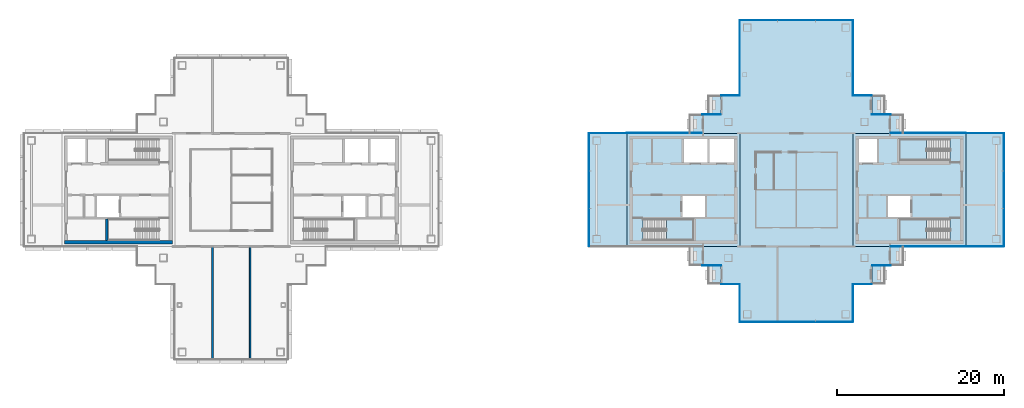
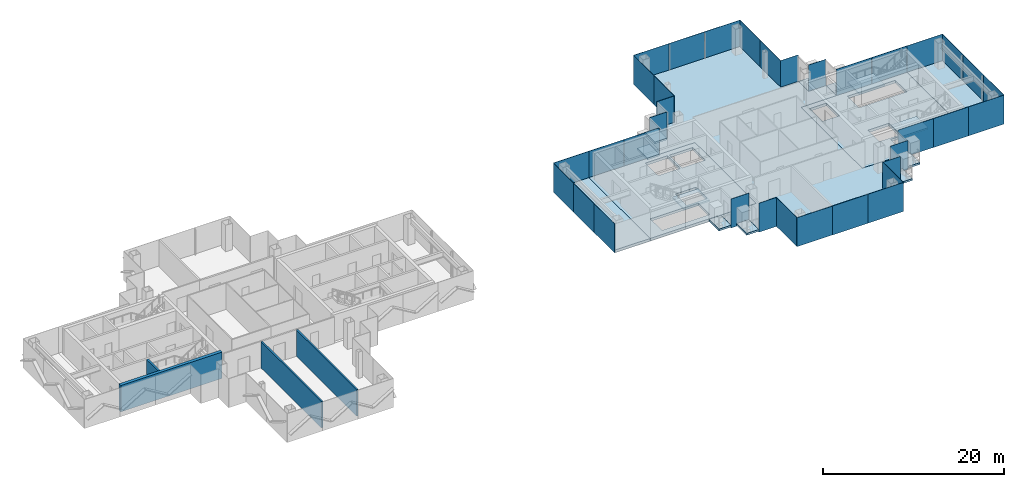
# One storey, part 8 of 17: 35 plates, 16 slabs, 4 walls, 21 elements without a shape of their own.
"""IFC4 building model written with IfcOpenShell, lengths in metres."""

from ifc_helpers import new_model, si_unit, direction, frame, frame_2d, origin, origin_2d, place, context, subcontext, project, spatial, polyline, rectangle, outline, extrude, material, layer, layer_set, type_object, element, aggregate, save


model = new_model("IFC4")

# Units and contexts
model_context = context("Model", 3, precision=1e-05, world=origin(), true_north=direction((0.0, 1.0)))
body_context = subcontext(model_context, "Body", "Model", "MODEL_VIEW")
ifc_project = project(units=[si_unit("LENGTHUNIT", "METRE"), si_unit("AREAUNIT", "SQUARE_METRE"), si_unit("VOLUMEUNIT", "CUBIC_METRE"), si_unit("PLANEANGLEUNIT", "RADIAN"), si_unit("MASSUNIT", "GRAM", prefix="KILO")], contexts=[model_context])

# Site, building, storey
site_placement = place(None, origin())
site = spatial("IfcSite", under=ifc_project, at=site_placement, CompositionType="ELEMENT")
building_placement = place(site_placement, origin())
building = spatial("IfcBuilding", under=site, at=building_placement, Name="Shamsa Quay Exchange Towers", CompositionType="ELEMENT")
storey_placement = place(building_placement, frame((0.0, 0.0, 257.699951171875)))
storey = spatial("IfcBuildingStorey", under=building, at=storey_placement, Name="L62", CompositionType="ELEMENT", Elevation=257.699951171875)

# Slabs
ifc_material_1 = material(Name="Precast concrete C40/50", Category="concrete")
ifc_layer_1 = layer(ifc_material_1, 0.25)
ifc_layer_set_1 = layer_set([ifc_layer_1], Name="BALCONY SLAB 250")
slab_type_1 = type_object("IfcSlabType", Name="BALCONY SLAB 250", PredefinedType="FLOOR", material=ifc_layer_set_1)
slab_1_placement = place(storey_placement, frame((0.0, 0.0, -0.25)))
element("IfcSlab", 1, at=slab_1_placement, inside=storey, type_object=slab_type_1, Name="Balcony T2-PKEN L62", PredefinedType="FLOOR", context=body_context, shape_type="SweptSolid", body=[
    extrude(outline(polyline([(24.75, 11.25), (24.75, 9.0380859375), (23.199951171875, 9.0380859375), (23.199951171875, 11.25), (24.75, 11.25)])), origin(), (0.0, 0.0, 1.0), 0.25),
])
slab_2_placement = place(storey_placement, frame((0.0, 0.0, -0.25)))
element("IfcSlab", 2, at=slab_2_placement, inside=storey, type_object=slab_type_1, Name="Balcony T2-PKEN L62", PredefinedType="FLOOR", context=body_context, shape_type="SweptSolid", body=[
    extrude(outline(polyline([(22.5, 9.0), (22.5, 6.7880859375), (20.949951171875, 6.7880859375), (20.949951171875, 9.0), (22.5, 9.0)])), origin(), (0.0, 0.0, 1.0), 0.25),
])
slab_3_placement = place(storey_placement, frame((0.0, 0.0, -0.25)))
element("IfcSlab", 3, at=slab_3_placement, inside=storey, type_object=slab_type_1, Name="Balcony T2-PKES L62", PredefinedType="FLOOR", context=body_context, shape_type="SweptSolid", body=[
    extrude(outline(polyline([(42.75, 9.0380859375), (42.75, 11.25), (44.300048828125, 11.25), (44.300048828125, 9.0380859375), (42.75, 9.0380859375)])), origin(), (0.0, 0.0, 1.0), 0.25),
])
slab_4_placement = place(storey_placement, frame((0.0, 0.0, -0.25)))
element("IfcSlab", 4, at=slab_4_placement, inside=storey, type_object=slab_type_1, Name="Balcony T2-PKES L62", PredefinedType="FLOOR", context=body_context, shape_type="SweptSolid", body=[
    extrude(outline(polyline([(45.0, 6.7880859375), (45.0, 9.0), (46.550048828125, 9.0), (46.550048828125, 6.7880859375), (45.0, 6.7880859375)])), origin(), (0.0, 0.0, 1.0), 0.25),
])
slab_5_placement = place(storey_placement, frame((0.0, 0.0, -0.25)))
element("IfcSlab", 5, at=slab_5_placement, inside=storey, type_object=slab_type_1, Name="Balcony T2-PKWN L62", PredefinedType="FLOOR", context=body_context, shape_type="SweptSolid", body=[
    extrude(outline(polyline([(22.5, -6.7880859375), (22.5, -9.0), (20.949951171875, -9.0), (20.949951171875, -6.7880859375), (22.5, -6.7880859375)])), origin(), (0.0, 0.0, 1.0), 0.25),
])
slab_6_placement = place(storey_placement, frame((0.0, 0.0, -0.25)))
element("IfcSlab", 6, at=slab_6_placement, inside=storey, type_object=slab_type_1, Name="Balcony T2-PKWN L62", PredefinedType="FLOOR", context=body_context, shape_type="SweptSolid", body=[
    extrude(outline(polyline([(24.75, -9.0380859375), (24.75, -11.25), (23.199951171875, -11.25), (23.199951171875, -9.0380859375), (24.75, -9.0380859375)])), origin(), (0.0, 0.0, 1.0), 0.25),
])
slab_7_placement = place(storey_placement, frame((0.0, 0.0, -0.25)))
element("IfcSlab", 7, at=slab_7_placement, inside=storey, type_object=slab_type_1, Name="Balcony T2-PKWS L62", PredefinedType="FLOOR", context=body_context, shape_type="SweptSolid", body=[
    extrude(outline(polyline([(42.75, -11.25), (42.75, -9.0380859375), (44.300048828125, -9.0380859375), (44.300048828125, -11.25), (42.75, -11.25)])), origin(), (0.0, 0.0, 1.0), 0.25),
])
slab_8_placement = place(storey_placement, frame((0.0, 0.0, -0.25)))
element("IfcSlab", 8, at=slab_8_placement, inside=storey, type_object=slab_type_1, Name="Balcony T2-PKWS L62", PredefinedType="FLOOR", context=body_context, shape_type="SweptSolid", body=[
    extrude(outline(polyline([(45.0, -9.0), (45.0, -6.7880859375), (46.550048828125, -6.7880859375), (46.550048828125, -9.0), (45.0, -9.0)])), origin(), (0.0, 0.0, 1.0), 0.25),
])
ifc_material_2 = material(Name="Concrete C50/60", Category="concrete")
ifc_layer_2 = layer(ifc_material_2, 0.35009765625)
ifc_layer_set_2 = layer_set([ifc_layer_2], Name="CORE FLOOR 350 C50/60")
slab_type_2 = type_object("IfcSlabType", Name="CORE FLOOR 350 C50/60", PredefinedType="FLOOR", material=ifc_layer_set_2)
slab_9_placement = place(storey_placement, frame((0.0, 0.0, -0.349853515625)))
element("IfcSlab", 9, at=slab_9_placement, inside=storey, type_object=slab_type_2, Name="Core floor T2A", PredefinedType="FLOOR", context=body_context, shape_type="SweptSolid", body=[
    extrude(outline(polyline([(13.5, -6.75), (27.0, -6.75), (27.0, 6.75), (13.5, 6.75), (13.5, -6.75)]), holes=[polyline([(15.400634765625, -6.050048828125), (15.400634765625, -3.5), (21.5, -3.5), (21.5, -6.050048828125), (15.400634765625, -6.050048828125)]), polyline([(20.300048828125, 3.25), (20.300048828125, 6.050048828125), (23.10009765625, 6.050048828125), (23.10009765625, 3.25), (20.300048828125, 3.25)]), polyline([(23.35009765625, 3.25), (23.35009765625, 6.050048828125), (26.300048828125, 6.050048828125), (26.300048828125, 3.25), (23.35009765625, 3.25)]), polyline([(20.14990234375, -3.25), (20.14990234375, -0.75), (22.800048828125, -0.75), (22.800048828125, -3.25), (20.14990234375, -3.25)])]), origin(), (0.0, 0.0, 1.0), 0.349853515625),
])
slab_10_placement = place(storey_placement, frame((0.0, 0.0, -0.349853515625)))
element("IfcSlab", 10, at=slab_10_placement, inside=storey, type_object=slab_type_2, Name="Core floor T2B", PredefinedType="FLOOR", context=body_context, shape_type="SweptSolid", body=[
    extrude(outline(polyline([(54.0, -6.75), (54.0, 6.75), (40.5, 6.75), (40.5, -6.75), (54.0, -6.75)]), holes=[polyline([(52.099365234375, -3.5), (52.099365234375, -6.050048828125), (46.0, -6.050048828125), (46.0, -3.5), (52.099365234375, -3.5)]), polyline([(52.099365234375, 6.050048828125), (52.099365234375, 3.5), (46.0, 3.5), (46.0, 6.050048828125), (52.099365234375, 6.050048828125)]), polyline([(43.35009765625, 3.25), (41.199951171875, 3.25), (41.199951171875, 6.050048828125), (43.35009765625, 6.050048828125), (43.35009765625, 3.25)]), polyline([(47.35009765625, -3.25), (44.699951171875, -3.25), (44.699951171875, -0.75), (47.35009765625, -0.75), (47.35009765625, -3.25)])]), origin(), (0.0, 0.0, 1.0), 0.349853515625),
])

# Stair, slab
ifc_material_3 = material(Name="Concrete C40/50", Category="concrete")
stair_type = type_object("IfcStairType", Name="EXIT STAIR 22 RISERS 177 MM", PredefinedType="HALF_TURN_STAIR", material=ifc_material_3)
stair_1_placement = place(storey_placement, origin())
stair_1 = element("IfcStair", 11, at=stair_1_placement, inside=storey, type_object=stair_type, Name="L62 Exit stair ST4", PredefinedType="HALF_TURN_STAIR")
ifc_layer_3 = layer(ifc_material_3, 0.199951171875)
ifc_layer_set_3 = layer_set([ifc_layer_3], Name="CORE STAIR LANDING")
slab_type_3 = type_object("IfcSlabType", Name="CORE STAIR LANDING", PredefinedType="LANDING", material=ifc_layer_set_3)
slab_11_placement = place(storey_placement, frame((0.0, 0.0, 1.75)))
slab_11 = element("IfcSlab", 12, at=slab_11_placement, type_object=slab_type_3, Name="ST4 landing 1", PredefinedType="LANDING", context=body_context, shape_type="SweptSolid", body=[
    extrude(outline(polyline([(18.199951171875, -6.050048828125), (21.5, -6.050048828125), (21.5, -3.5), (18.199951171875, -3.5), (18.199951171875, -6.050048828125)])), origin(), (0.0, 0.0, 1.0), 0.199951171875),
])
aggregate(stair_1, [slab_11])

stair_2_placement = place(storey_placement, origin())
stair_2 = element("IfcStair", 13, at=stair_2_placement, inside=storey, type_object=stair_type, Name="L62 Exit stair ST5", PredefinedType="HALF_TURN_STAIR")
slab_12_placement = place(storey_placement, frame((0.0, 0.0, 1.75)))
slab_12 = element("IfcSlab", 14, at=slab_12_placement, type_object=slab_type_3, Name="ST5 landing 1", PredefinedType="LANDING", context=body_context, shape_type="SweptSolid", body=[
    extrude(outline(polyline([(49.300048828125, -3.5), (46.0, -3.5), (46.0, -6.050048828125), (49.300048828125, -6.050048828125), (49.300048828125, -3.5)])), origin(), (0.0, 0.0, 1.0), 0.199951171875),
])
aggregate(stair_2, [slab_12])

stair_3_placement = place(storey_placement, origin())
stair_3 = element("IfcStair", 15, at=stair_3_placement, inside=storey, type_object=stair_type, Name="L62 Exit stair ST6", PredefinedType="HALF_TURN_STAIR")
slab_13_placement = place(storey_placement, frame((0.0, 0.0, 1.75)))
slab_13 = element("IfcSlab", 16, at=slab_13_placement, type_object=slab_type_3, Name="ST6 landing 1", PredefinedType="LANDING", context=body_context, shape_type="SweptSolid", body=[
    extrude(outline(polyline([(49.300048828125, 6.050048828125), (46.0, 6.050048828125), (46.0, 3.5), (49.300048828125, 3.5), (49.300048828125, 6.050048828125)])), origin(), (0.0, 0.0, 1.0), 0.199951171875),
])
aggregate(stair_3, [slab_13])

# Curtain wall, plate
ifc_material_4 = material(Name="Aluminium EN AW-6063 T6, black anodised", Category="aluminium")
ifc_layer_4 = layer(ifc_material_4, 0.280029296875)
ifc_layer_set_4 = layer_set([ifc_layer_4], Name="CW-1 UNITISED VISION GLASS")
curtain_wall_type_1 = type_object("IfcCurtainWallType", Name="CW-1 UNITISED VISION GLASS", PredefinedType="NOTDEFINED", material=ifc_layer_set_4)
curtain_wall_1_placement = place(storey_placement, origin())
curtain_wall_1 = element("IfcCurtainWall", 17, at=curtain_wall_1_placement, inside=storey, type_object=curtain_wall_type_1, Name="CW1 T2-FLK-V-W L62", PredefinedType="NOTDEFINED")
ifc_material_5 = material(Name="Glass, laminated, dark tinted", Category="glass")
ifc_layer_5 = layer(ifc_material_5, 0.0400390625)
ifc_layer_set_5 = layer_set([ifc_layer_5], Name="CW-1 VISION GLASS 40")
plate_type_1 = type_object("IfcPlateType", Name="CW-1 VISION GLASS 40", PredefinedType="CURTAIN_PANEL", material=ifc_layer_set_5)
plate_1_placement = place(storey_placement, frame((56.25, -6.77001953125, -0.349853515625)))
plate_1 = element("IfcPlate", 18, at=plate_1_placement, type_object=plate_type_1, Name="CW1 glass panel", PredefinedType="CURTAIN_PANEL", context=body_context, shape_type="SweptSolid", body=[
    extrude(rectangle(XDim=4.5, YDim=0.0400390625, at=origin_2d()), origin(), (0.0, 0.0, 1.0), 3.89990234375),
])
aggregate(curtain_wall_1, [plate_1])

# Curtain wall, plates
curtain_wall_2_placement = place(storey_placement, origin())
curtain_wall_2 = element("IfcCurtainWall", 19, at=curtain_wall_2_placement, inside=storey, type_object=curtain_wall_type_1, Name="CW1 T2-END-V- L62", PredefinedType="NOTDEFINED")
plate_2_placement = place(storey_placement, frame((58.52001953125, -4.50244140625, -0.349853515625), z_axis=(0.0, 0.0, 1.0), x_axis=(0.0, 1.0, 0.0)))
plate_2 = element("IfcPlate", 20, at=plate_2_placement, type_object=plate_type_1, Name="CW1 glass panel", PredefinedType="CURTAIN_PANEL", context=body_context, shape_type="SweptSolid", body=[
    extrude(rectangle(XDim=4.4951171875, YDim=0.0400390625, at=origin_2d()), origin(), (0.0, 0.0, 1.0), 3.89990234375),
])
plate_3_placement = place(storey_placement, frame((58.52001953125, 0.0, -0.349853515625), z_axis=(0.0, 0.0, 1.0), x_axis=(0.0, 1.0, 0.0)))
plate_3 = element("IfcPlate", 21, at=plate_3_placement, type_object=plate_type_1, Name="CW1 glass panel", PredefinedType="CURTAIN_PANEL", context=body_context, shape_type="SweptSolid", body=[
    extrude(rectangle(XDim=4.489990234375, YDim=0.0400390625, at=origin_2d()), origin(), (0.0, 0.0, 1.0), 3.89990234375),
])
plate_4_placement = place(storey_placement, frame((58.52001953125, 4.50244140625, -0.349853515625), z_axis=(0.0, 0.0, 1.0), x_axis=(0.0, 1.0, 0.0)))
plate_4 = element("IfcPlate", 22, at=plate_4_placement, type_object=plate_type_1, Name="CW1 glass panel", PredefinedType="CURTAIN_PANEL", context=body_context, shape_type="SweptSolid", body=[
    extrude(rectangle(XDim=4.4951171875, YDim=0.0400390625, at=origin_2d()), origin(), (0.0, 0.0, 1.0), 3.89990234375),
])
aggregate(curtain_wall_2, [plate_2, plate_3, plate_4])

# Curtain wall, plate
curtain_wall_3_placement = place(storey_placement, origin())
curtain_wall_3 = element("IfcCurtainWall", 23, at=curtain_wall_3_placement, inside=storey, type_object=curtain_wall_type_1, Name="CW1 T2-FLK-V-E L62", PredefinedType="NOTDEFINED")
plate_5_placement = place(storey_placement, frame((56.25, 6.77001953125, -0.349853515625), z_axis=(0.0, 0.0, 1.0), x_axis=(-1.0, 0.0, 0.0)))
plate_5 = element("IfcPlate", 24, at=plate_5_placement, type_object=plate_type_1, Name="CW1 glass panel", PredefinedType="CURTAIN_PANEL", context=body_context, shape_type="SweptSolid", body=[
    extrude(rectangle(XDim=4.5, YDim=0.0400390625, at=origin_2d()), origin(), (0.0, 0.0, 1.0), 3.89990234375),
])
aggregate(curtain_wall_3, [plate_5])

# Curtain wall, plates
curtain_wall_4_placement = place(storey_placement, origin())
curtain_wall_4 = element("IfcCurtainWall", 25, at=curtain_wall_4_placement, inside=storey, type_object=curtain_wall_type_1, Name="CW1 T2-FLK-U+S L62", PredefinedType="NOTDEFINED")
plate_6_placement = place(storey_placement, frame((40.52001953125, 13.52587890625, -0.349853515625), z_axis=(0.0, 0.0, 1.0), x_axis=(0.0, 1.0, 0.0)))
plate_6 = element("IfcPlate", 26, at=plate_6_placement, type_object=plate_type_1, Name="CW1 glass panel", PredefinedType="CURTAIN_PANEL", context=body_context, shape_type="SweptSolid", body=[
    extrude(rectangle(XDim=4.47607421875, YDim=0.0400390625, at=origin_2d()), origin(), (0.0, 0.0, 1.0), 3.89990234375),
])
plate_7_placement = place(storey_placement, frame((40.52001953125, 18.011962890625, -0.349853515625), z_axis=(0.0, 0.0, 1.0), x_axis=(0.0, 1.0, 0.0)))
plate_7 = element("IfcPlate", 27, at=plate_7_placement, type_object=plate_type_1, Name="CW1 glass panel", PredefinedType="CURTAIN_PANEL", context=body_context, shape_type="SweptSolid", body=[
    extrude(rectangle(XDim=4.47607421875, YDim=0.0400390625, at=origin_2d()), origin(), (0.0, 0.0, 1.0), 3.89990234375),
])
aggregate(curtain_wall_4, [plate_6, plate_7])

curtain_wall_5_placement = place(storey_placement, origin())
curtain_wall_5 = element("IfcCurtainWall", 28, at=curtain_wall_5_placement, inside=storey, type_object=curtain_wall_type_1, Name="CW1 T2-END-U+ L62", PredefinedType="NOTDEFINED")
plate_8_placement = place(storey_placement, frame((38.25244140625, 20.27001953125, -0.349853515625), z_axis=(0.0, 0.0, 1.0), x_axis=(-1.0, 0.0, 0.0)))
plate_8 = element("IfcPlate", 29, at=plate_8_placement, type_object=plate_type_1, Name="CW1 glass panel", PredefinedType="CURTAIN_PANEL", context=body_context, shape_type="SweptSolid", body=[
    extrude(rectangle(XDim=4.4951171875, YDim=0.0400390625, at=origin_2d()), origin(), (0.0, 0.0, 1.0), 3.89990234375),
])
plate_9_placement = place(storey_placement, frame((33.75, 20.27001953125, -0.349853515625), z_axis=(0.0, 0.0, 1.0), x_axis=(-1.0, 0.0, 0.0)))
plate_9 = element("IfcPlate", 30, at=plate_9_placement, type_object=plate_type_1, Name="CW1 glass panel", PredefinedType="CURTAIN_PANEL", context=body_context, shape_type="SweptSolid", body=[
    extrude(rectangle(XDim=4.489990234375, YDim=0.0400390625, at=origin_2d()), origin(), (0.0, 0.0, 1.0), 3.89990234375),
])
plate_10_placement = place(storey_placement, frame((29.24755859375, 20.27001953125, -0.349853515625), z_axis=(0.0, 0.0, 1.0), x_axis=(-1.0, 0.0, 0.0)))
plate_10 = element("IfcPlate", 31, at=plate_10_placement, type_object=plate_type_1, Name="CW1 glass panel", PredefinedType="CURTAIN_PANEL", context=body_context, shape_type="SweptSolid", body=[
    extrude(rectangle(XDim=4.4951171875, YDim=0.0400390625, at=origin_2d()), origin(), (0.0, 0.0, 1.0), 3.89990234375),
])
aggregate(curtain_wall_5, [plate_8, plate_9, plate_10])

curtain_wall_6_placement = place(storey_placement, origin())
curtain_wall_6 = element("IfcCurtainWall", 32, at=curtain_wall_6_placement, inside=storey, type_object=curtain_wall_type_1, Name="CW1 T2-FLK-U+N L62", PredefinedType="NOTDEFINED")
plate_11_placement = place(storey_placement, frame((26.97998046875, 18.00244140625, -0.349853515625), z_axis=(0.0, 0.0, 1.0), x_axis=(0.0, -1.0, 0.0)))
plate_11 = element("IfcPlate", 33, at=plate_11_placement, type_object=plate_type_1, Name="CW1 glass panel", PredefinedType="CURTAIN_PANEL", context=body_context, shape_type="SweptSolid", body=[
    extrude(rectangle(XDim=4.4951171875, YDim=0.0400390625, at=origin_2d()), origin(), (0.0, 0.0, 1.0), 3.89990234375),
])
plate_12_placement = place(storey_placement, frame((26.97998046875, 13.49755859375, -0.349853515625), z_axis=(0.0, 0.0, 1.0), x_axis=(0.0, -1.0, 0.0)))
plate_12 = element("IfcPlate", 34, at=plate_12_placement, type_object=plate_type_1, Name="CW1 glass panel", PredefinedType="CURTAIN_PANEL", context=body_context, shape_type="SweptSolid", body=[
    extrude(rectangle(XDim=4.4951171875, YDim=0.0400390625, at=origin_2d()), origin(), (0.0, 0.0, 1.0), 3.89990234375),
])
aggregate(curtain_wall_6, [plate_11, plate_12])

# Curtain wall, plate
curtain_wall_7_placement = place(storey_placement, origin())
curtain_wall_7 = element("IfcCurtainWall", 35, at=curtain_wall_7_placement, inside=storey, type_object=curtain_wall_type_1, Name="CW1 T2-FLK-V+E L62", PredefinedType="NOTDEFINED")
plate_13_placement = place(storey_placement, frame((11.25, 6.77001953125, -0.349853515625), z_axis=(0.0, 0.0, 1.0), x_axis=(-1.0, 0.0, 0.0)))
plate_13 = element("IfcPlate", 36, at=plate_13_placement, type_object=plate_type_1, Name="CW1 glass panel", PredefinedType="CURTAIN_PANEL", context=body_context, shape_type="SweptSolid", body=[
    extrude(rectangle(XDim=4.5, YDim=0.0400390625, at=origin_2d()), origin(), (0.0, 0.0, 1.0), 3.89990234375),
])
aggregate(curtain_wall_7, [plate_13])

# Curtain wall, plates
curtain_wall_8_placement = place(storey_placement, origin())
curtain_wall_8 = element("IfcCurtainWall", 37, at=curtain_wall_8_placement, inside=storey, type_object=curtain_wall_type_1, Name="CW1 T2-END-V+ L62", PredefinedType="NOTDEFINED")
plate_14_placement = place(storey_placement, frame((8.97998046875, 4.50244140625, -0.349853515625), z_axis=(0.0, 0.0, 1.0), x_axis=(0.0, -1.0, 0.0)))
plate_14 = element("IfcPlate", 38, at=plate_14_placement, type_object=plate_type_1, Name="CW1 glass panel", PredefinedType="CURTAIN_PANEL", context=body_context, shape_type="SweptSolid", body=[
    extrude(rectangle(XDim=4.4951171875, YDim=0.0400390625, at=origin_2d()), origin(), (0.0, 0.0, 1.0), 3.89990234375),
])
plate_15_placement = place(storey_placement, frame((8.97998046875, 0.0, -0.349853515625), z_axis=(0.0, 0.0, 1.0), x_axis=(0.0, -1.0, 0.0)))
plate_15 = element("IfcPlate", 39, at=plate_15_placement, type_object=plate_type_1, Name="CW1 glass panel", PredefinedType="CURTAIN_PANEL", context=body_context, shape_type="SweptSolid", body=[
    extrude(rectangle(XDim=4.489990234375, YDim=0.0400390625, at=origin_2d()), origin(), (0.0, 0.0, 1.0), 3.89990234375),
])
plate_16_placement = place(storey_placement, frame((8.97998046875, -4.50244140625, -0.349853515625), z_axis=(0.0, 0.0, 1.0), x_axis=(0.0, -1.0, 0.0)))
plate_16 = element("IfcPlate", 40, at=plate_16_placement, type_object=plate_type_1, Name="CW1 glass panel", PredefinedType="CURTAIN_PANEL", context=body_context, shape_type="SweptSolid", body=[
    extrude(rectangle(XDim=4.4951171875, YDim=0.0400390625, at=origin_2d()), origin(), (0.0, 0.0, 1.0), 3.89990234375),
])
aggregate(curtain_wall_8, [plate_14, plate_15, plate_16])

# Curtain wall, plate
curtain_wall_9_placement = place(storey_placement, origin())
curtain_wall_9 = element("IfcCurtainWall", 41, at=curtain_wall_9_placement, inside=storey, type_object=curtain_wall_type_1, Name="CW1 T2-FLK-U-N L62", PredefinedType="NOTDEFINED")
plate_17_placement = place(storey_placement, frame((26.97998046875, -13.51904296875, -0.349853515625), z_axis=(0.0, 0.0, 1.0), x_axis=(0.0, -1.0, 0.0)))
plate_17 = element("IfcPlate", 42, at=plate_17_placement, type_object=plate_type_1, Name="CW1 glass panel", PredefinedType="CURTAIN_PANEL", context=body_context, shape_type="SweptSolid", body=[
    extrude(rectangle(XDim=4.4619140625, YDim=0.0400390625, at=origin_2d()), origin(), (0.0, 0.0, 1.0), 3.89990234375),
])
aggregate(curtain_wall_9, [plate_17])

# Curtain wall, plates
curtain_wall_10_placement = place(storey_placement, origin())
curtain_wall_10 = element("IfcCurtainWall", 43, at=curtain_wall_10_placement, inside=storey, type_object=curtain_wall_type_1, Name="CW1 T2-END-U- L62", PredefinedType="NOTDEFINED")
plate_18_placement = place(storey_placement, frame((29.24755859375, -15.77001953125, -0.349853515625)))
plate_18 = element("IfcPlate", 44, at=plate_18_placement, type_object=plate_type_1, Name="CW1 glass panel", PredefinedType="CURTAIN_PANEL", context=body_context, shape_type="SweptSolid", body=[
    extrude(rectangle(XDim=4.4951171875, YDim=0.0400390625, at=origin_2d()), origin(), (0.0, 0.0, 1.0), 3.89990234375),
])
plate_19_placement = place(storey_placement, frame((33.75, -15.77001953125, -0.349853515625)))
plate_19 = element("IfcPlate", 45, at=plate_19_placement, type_object=plate_type_1, Name="CW1 glass panel", PredefinedType="CURTAIN_PANEL", context=body_context, shape_type="SweptSolid", body=[
    extrude(rectangle(XDim=4.489990234375, YDim=0.0400390625, at=origin_2d()), origin(), (0.0, 0.0, 1.0), 3.89990234375),
])
plate_20_placement = place(storey_placement, frame((38.25244140625, -15.77001953125, -0.349853515625)))
plate_20 = element("IfcPlate", 46, at=plate_20_placement, type_object=plate_type_1, Name="CW1 glass panel", PredefinedType="CURTAIN_PANEL", context=body_context, shape_type="SweptSolid", body=[
    extrude(rectangle(XDim=4.4951171875, YDim=0.0400390625, at=origin_2d()), origin(), (0.0, 0.0, 1.0), 3.89990234375),
])
aggregate(curtain_wall_10, [plate_18, plate_19, plate_20])

# Curtain wall, plate
curtain_wall_11_placement = place(storey_placement, origin())
curtain_wall_11 = element("IfcCurtainWall", 47, at=curtain_wall_11_placement, inside=storey, type_object=curtain_wall_type_1, Name="CW1 T2-FLK-U-S L62", PredefinedType="NOTDEFINED")
plate_21_placement = place(storey_placement, frame((40.52001953125, -13.5, -0.349853515625), z_axis=(0.0, 0.0, 1.0), x_axis=(0.0, 1.0, 0.0)))
plate_21 = element("IfcPlate", 48, at=plate_21_placement, type_object=plate_type_1, Name="CW1 glass panel", PredefinedType="CURTAIN_PANEL", context=body_context, shape_type="SweptSolid", body=[
    extrude(rectangle(XDim=4.5, YDim=0.0400390625, at=origin_2d()), origin(), (0.0, 0.0, 1.0), 3.89990234375),
])
aggregate(curtain_wall_11, [plate_21])

# Curtain wall, plates
ifc_layer_6 = layer(ifc_material_4, 0.303955078125)
ifc_layer_set_6 = layer_set([ifc_layer_6], Name="CW-2 UNITISED OPAQUE SPANDREL GLASS")
curtain_wall_type_2 = type_object("IfcCurtainWallType", Name="CW-2 UNITISED OPAQUE SPANDREL GLASS", PredefinedType="NOTDEFINED", material=ifc_layer_set_6)
curtain_wall_12_placement = place(storey_placement, origin())
curtain_wall_12 = element("IfcCurtainWall", 49, at=curtain_wall_12_placement, inside=storey, type_object=curtain_wall_type_2, Name="CW2 T2-FLK-V-W L62", PredefinedType="NOTDEFINED")
ifc_material_6 = material(Name="Glass, laminated, black enamelled opaque", Category="glass")
ifc_layer_7 = layer(ifc_material_6, 0.0439453125)
ifc_layer_set_7 = layer_set([ifc_layer_7], Name="CW-2 SPANDREL GLASS 44")
plate_type_2 = type_object("IfcPlateType", Name="CW-2 SPANDREL GLASS 44", PredefinedType="CURTAIN_PANEL", material=ifc_layer_set_7)
plate_22_placement = place(storey_placement, frame((47.27587890625, -6.77197265625, -0.349853515625)))
plate_22 = element("IfcPlate", 50, at=plate_22_placement, type_object=plate_type_2, Name="CW2 glass panel", PredefinedType="CURTAIN_PANEL", context=body_context, shape_type="SweptSolid", body=[
    extrude(rectangle(XDim=4.47607421875, YDim=0.0439453125, at=origin_2d()), origin(), (0.0, 0.0, 1.0), 3.89990234375),
])
plate_23_placement = place(storey_placement, frame((51.761962890625, -6.77197265625, -0.349853515625)))
plate_23 = element("IfcPlate", 51, at=plate_23_placement, type_object=plate_type_2, Name="CW2 glass panel", PredefinedType="CURTAIN_PANEL", context=body_context, shape_type="SweptSolid", body=[
    extrude(rectangle(XDim=4.47607421875, YDim=0.0439453125, at=origin_2d()), origin(), (0.0, 0.0, 1.0), 3.89990234375),
])
aggregate(curtain_wall_12, [plate_22, plate_23])

curtain_wall_13_placement = place(storey_placement, origin())
curtain_wall_13 = element("IfcCurtainWall", 52, at=curtain_wall_13_placement, inside=storey, type_object=curtain_wall_type_2, Name="CW2 T2-FLK-V-E L62", PredefinedType="NOTDEFINED")
plate_24_placement = place(storey_placement, frame((51.75244140625, 6.77197265625, -0.349853515625), z_axis=(0.0, 0.0, 1.0), x_axis=(-1.0, 0.0, 0.0)))
plate_24 = element("IfcPlate", 53, at=plate_24_placement, type_object=plate_type_2, Name="CW2 glass panel", PredefinedType="CURTAIN_PANEL", context=body_context, shape_type="SweptSolid", body=[
    extrude(rectangle(XDim=4.4951171875, YDim=0.0439453125, at=origin_2d()), origin(), (0.0, 0.0, 1.0), 3.89990234375),
])
plate_25_placement = place(storey_placement, frame((47.24755859375, 6.77197265625, -0.349853515625), z_axis=(0.0, 0.0, 1.0), x_axis=(-1.0, 0.0, 0.0)))
plate_25 = element("IfcPlate", 54, at=plate_25_placement, type_object=plate_type_2, Name="CW2 glass panel", PredefinedType="CURTAIN_PANEL", context=body_context, shape_type="SweptSolid", body=[
    extrude(rectangle(XDim=4.4951171875, YDim=0.0439453125, at=origin_2d()), origin(), (0.0, 0.0, 1.0), 3.89990234375),
])
aggregate(curtain_wall_13, [plate_24, plate_25])

curtain_wall_14_placement = place(storey_placement, origin())
curtain_wall_14 = element("IfcCurtainWall", 55, at=curtain_wall_14_placement, inside=storey, type_object=curtain_wall_type_2, Name="CW2 T2-FLK-V+E L62", PredefinedType="NOTDEFINED")
plate_26_placement = place(storey_placement, frame((20.22412109375, 6.77197265625, -0.349853515625), z_axis=(0.0, 0.0, 1.0), x_axis=(-1.0, 0.0, 0.0)))
plate_26 = element("IfcPlate", 56, at=plate_26_placement, type_object=plate_type_2, Name="CW2 glass panel", PredefinedType="CURTAIN_PANEL", context=body_context, shape_type="SweptSolid", body=[
    extrude(rectangle(XDim=4.47607421875, YDim=0.0439453125, at=origin_2d()), origin(), (0.0, 0.0, 1.0), 3.89990234375),
])
plate_27_placement = place(storey_placement, frame((15.738037109375, 6.77197265625, -0.349853515625), z_axis=(0.0, 0.0, 1.0), x_axis=(-1.0, 0.0, 0.0)))
plate_27 = element("IfcPlate", 57, at=plate_27_placement, type_object=plate_type_2, Name="CW2 glass panel", PredefinedType="CURTAIN_PANEL", context=body_context, shape_type="SweptSolid", body=[
    extrude(rectangle(XDim=4.47607421875, YDim=0.0439453125, at=origin_2d()), origin(), (0.0, 0.0, 1.0), 3.89990234375),
])
aggregate(curtain_wall_14, [plate_26, plate_27])

ifc_layer_8 = layer(ifc_material_4, 0.256103515625)
ifc_layer_set_8 = layer_set([ifc_layer_8], Name="CW-4 POCKET SERRATED GLAZING")
curtain_wall_type_3 = type_object("IfcCurtainWallType", Name="CW-4 POCKET SERRATED GLAZING", PredefinedType="NOTDEFINED", material=ifc_layer_set_8)
curtain_wall_15_placement = place(storey_placement, origin())
curtain_wall_15 = element("IfcCurtainWall", 58, at=curtain_wall_15_placement, inside=storey, type_object=curtain_wall_type_3, Name="CW4 PKWS L62", PredefinedType="NOTDEFINED")
ifc_layer_9 = layer(ifc_material_5, 0.035888671875)
ifc_layer_set_9 = layer_set([ifc_layer_9], Name="CW-4 POCKET GLASS 36")
plate_type_3 = type_object("IfcPlateType", Name="CW-4 POCKET GLASS 36", PredefinedType="CURTAIN_PANEL", material=ifc_layer_set_9)
plate_28_placement = place(storey_placement, frame((43.89404296875, -9.01806640625, -0.349853515625)))
plate_28 = element("IfcPlate", 59, at=plate_28_placement, type_object=plate_type_3, Name="CW4 glass panel", PredefinedType="CURTAIN_PANEL", context=body_context, shape_type="SweptSolid", body=[
    extrude(rectangle(XDim=2.2119140625, YDim=0.035888671875, at=origin_2d()), origin(), (0.0, 0.0, 1.0), 3.89990234375),
])
plate_29_placement = place(storey_placement, frame((41.64599609375, -11.26806640625, -0.349853515625)))
plate_29 = element("IfcPlate", 60, at=plate_29_placement, type_object=plate_type_3, Name="CW4 glass panel", PredefinedType="CURTAIN_PANEL", context=body_context, shape_type="SweptSolid", body=[
    extrude(rectangle(XDim=2.2080078125, YDim=0.035888671875, at=origin_2d()), origin(), (0.0, 0.0, 1.0), 3.89990234375),
])
aggregate(curtain_wall_15, [plate_28, plate_29])

curtain_wall_16_placement = place(storey_placement, origin())
curtain_wall_16 = element("IfcCurtainWall", 61, at=curtain_wall_16_placement, inside=storey, type_object=curtain_wall_type_3, Name="CW4 PKES L62", PredefinedType="NOTDEFINED")
plate_30_placement = place(storey_placement, frame((43.875, 9.01806640625, -0.349853515625), z_axis=(0.0, 0.0, 1.0), x_axis=(-1.0, 0.0, 0.0)))
plate_30 = element("IfcPlate", 62, at=plate_30_placement, type_object=plate_type_3, Name="CW4 glass panel", PredefinedType="CURTAIN_PANEL", context=body_context, shape_type="SweptSolid", body=[
    extrude(rectangle(XDim=2.25, YDim=0.035888671875, at=origin_2d()), origin(), (0.0, 0.0, 1.0), 3.89990234375),
])
plate_31_placement = place(storey_placement, frame((41.625, 11.26806640625, -0.349853515625), z_axis=(0.0, 0.0, 1.0), x_axis=(-1.0, 0.0, 0.0)))
plate_31 = element("IfcPlate", 63, at=plate_31_placement, type_object=plate_type_3, Name="CW4 glass panel", PredefinedType="CURTAIN_PANEL", context=body_context, shape_type="SweptSolid", body=[
    extrude(rectangle(XDim=2.25, YDim=0.035888671875, at=origin_2d()), origin(), (0.0, 0.0, 1.0), 3.89990234375),
])
aggregate(curtain_wall_16, [plate_30, plate_31])

curtain_wall_17_placement = place(storey_placement, origin())
curtain_wall_17 = element("IfcCurtainWall", 64, at=curtain_wall_17_placement, inside=storey, type_object=curtain_wall_type_3, Name="CW4 PKEN L62", PredefinedType="NOTDEFINED")
plate_32_placement = place(storey_placement, frame((25.85400390625, 11.26806640625, -0.349853515625), z_axis=(0.0, 0.0, 1.0), x_axis=(-1.0, 0.0, 0.0)))
plate_32 = element("IfcPlate", 65, at=plate_32_placement, type_object=plate_type_3, Name="CW4 glass panel", PredefinedType="CURTAIN_PANEL", context=body_context, shape_type="SweptSolid", body=[
    extrude(rectangle(XDim=2.2080078125, YDim=0.035888671875, at=origin_2d()), origin(), (0.0, 0.0, 1.0), 3.89990234375),
])
plate_33_placement = place(storey_placement, frame((23.60595703125, 9.01806640625, -0.349853515625), z_axis=(0.0, 0.0, 1.0), x_axis=(-1.0, 0.0, 0.0)))
plate_33 = element("IfcPlate", 66, at=plate_33_placement, type_object=plate_type_3, Name="CW4 glass panel", PredefinedType="CURTAIN_PANEL", context=body_context, shape_type="SweptSolid", body=[
    extrude(rectangle(XDim=2.2119140625, YDim=0.035888671875, at=origin_2d()), origin(), (0.0, 0.0, 1.0), 3.89990234375),
])
aggregate(curtain_wall_17, [plate_32, plate_33])

curtain_wall_18_placement = place(storey_placement, origin())
curtain_wall_18 = element("IfcCurtainWall", 67, at=curtain_wall_18_placement, inside=storey, type_object=curtain_wall_type_3, Name="CW4 PKWN L62", PredefinedType="NOTDEFINED")
plate_34_placement = place(storey_placement, frame((23.625, -9.01806640625, -0.349853515625)))
plate_34 = element("IfcPlate", 68, at=plate_34_placement, type_object=plate_type_3, Name="CW4 glass panel", PredefinedType="CURTAIN_PANEL", context=body_context, shape_type="SweptSolid", body=[
    extrude(rectangle(XDim=2.25, YDim=0.035888671875, at=origin_2d()), origin(), (0.0, 0.0, 1.0), 3.89990234375),
])
plate_35_placement = place(storey_placement, frame((25.875, -11.26806640625, -0.349853515625)))
plate_35 = element("IfcPlate", 69, at=plate_35_placement, type_object=plate_type_3, Name="CW4 glass panel", PredefinedType="CURTAIN_PANEL", context=body_context, shape_type="SweptSolid", body=[
    extrude(rectangle(XDim=2.25, YDim=0.035888671875, at=origin_2d()), origin(), (0.0, 0.0, 1.0), 3.89990234375),
])
aggregate(curtain_wall_18, [plate_34, plate_35])

# Slabs
ifc_layer_10 = layer(ifc_material_3, 0.35009765625)
ifc_layer_set_10 = layer_set([ifc_layer_10], Name="Flat slab 350")
slab_type_4 = type_object("IfcSlabType", Name="Flat slab 350", PredefinedType="FLOOR", material=ifc_layer_set_10)
slab_14_placement = place(storey_placement, frame((0.0, 0.0, -0.349853515625)))
element("IfcSlab", 70, at=slab_14_placement, inside=storey, type_object=slab_type_4, Name="Flat slab T2 L62 4", PredefinedType="FLOOR", context=body_context, shape_type="SweptSolid", body=[
    extrude(outline(polyline([(9.0, -6.75), (13.5, -6.75), (13.5, 6.75), (9.0, 6.75), (9.0, -6.75)])), origin(), (0.0, 0.0, 1.0), 0.349853515625),
])
slab_15_placement = place(storey_placement, frame((0.0, 0.0, -0.349853515625)))
element("IfcSlab", 71, at=slab_15_placement, inside=storey, type_object=slab_type_4, Name="Flat slab T2 L62 5", PredefinedType="FLOOR", context=body_context, shape_type="SweptSolid", body=[
    extrude(outline(polyline([(45.0, -9.0), (45.0, -6.75), (40.5, -6.75), (40.5, 6.75), (45.0, 6.75), (45.0, 9.0), (42.75, 9.0), (42.75, 11.25), (40.5, 11.25), (40.5, 20.25), (27.0, 20.25), (27.0, 11.25), (24.75, 11.25), (24.75, 9.0), (22.5, 9.0), (22.5, 6.75), (27.0, 6.75), (27.0, -6.75), (22.5, -6.75), (22.5, -9.0), (24.75, -9.0), (24.75, -11.25), (27.0, -11.25), (27.0, -15.75), (40.5, -15.75), (40.5, -11.25), (42.75, -11.25), (42.75, -9.0), (45.0, -9.0)])), origin(), (0.0, 0.0, 1.0), 0.349853515625),
])
slab_16_placement = place(storey_placement, frame((0.0, 0.0, -0.349853515625)))
element("IfcSlab", 72, at=slab_16_placement, inside=storey, type_object=slab_type_4, Name="Flat slab T2 L62 6", PredefinedType="FLOOR", context=body_context, shape_type="SweptSolid", body=[
    extrude(outline(polyline([(58.5, 6.75), (54.0, 6.75), (54.0, -6.75), (58.5, -6.75), (58.5, 6.75)])), origin(), (0.0, 0.0, 1.0), 0.349853515625),
])

# Walls
ifc_material_7 = material(Name="Double-leaf gypsum board partition with acoustic insulation")
ifc_layer_11 = layer(ifc_material_7, 0.199951171875)
ifc_layer_set_11 = layer_set([ifc_layer_11], Name="Acoustic partition 200 mm EI 60")
wall_type_1 = type_object("IfcWallType", Name="Acoustic partition 200 mm EI 60", PredefinedType="PARTITIONING", material=ifc_layer_set_11)
for number, where, z_axis, x_axis, name in (
    (73, (-36.0, -20.155029296875, 0.0), (0.0, 0.0, 1.0), (0.0, 1.0, 0.0), "Partition T1-R28-W15"),
    (74, (-31.5, -20.155029296875, 0.0), (0.0, 0.0, 1.0), (0.0, 1.0, 0.0), "Partition T1-R28-W17"),
):
    element("IfcWall", number, at=place(storey_placement, frame(where, z_axis=z_axis, x_axis=x_axis)), inside=storey, type_object=wall_type_1, Name=name, PredefinedType="PARTITIONING", context=body_context, shape_type="SweptSolid", body=[
        extrude(rectangle(XDim=13.304931640625, YDim=0.199951171875, at=frame_2d((6.65234375, 0.0))), origin(), (0.0, 0.0, 1.0), 3.550048828125),
    ])
ifc_material_8 = material(Name="Concrete C60/75", Category="concrete")
ifc_layer_12 = layer(ifc_material_8, 0.39990234375)
ifc_layer_set_12 = layer_set([ifc_layer_12], Name="CORE WALL 400 C60/75")
wall_type_2 = type_object("IfcWallType", Name="CORE WALL 400 C60/75", PredefinedType="SHEAR", material=ifc_layer_set_12)
wall_1_placement = place(storey_placement, frame((-40.800048828125, -6.25, 0.0), z_axis=(0.0, 0.0, 1.0), x_axis=(-1.0, 0.0, 0.0)))
element("IfcWall", 75, at=wall_1_placement, inside=storey, type_object=wall_type_2, Name="Core wall T1B-R28-PS", PredefinedType="SHEAR", context=body_context, shape_type="SweptSolid", body=[
    extrude(rectangle(XDim=12.89990234375, YDim=0.39990234375, at=frame_2d((6.449951171875, 0.0))), origin(), (0.0, 0.0, 1.0), 3.550048828125),
])
ifc_layer_13 = layer(ifc_material_2, 0.25)
ifc_layer_set_13 = layer_set([ifc_layer_13], Name="SHAFT WALL 250 C50/60")
wall_type_3 = type_object("IfcWallType", Name="SHAFT WALL 250 C50/60", PredefinedType="SHEAR", material=ifc_layer_set_13)
wall_2_placement = place(storey_placement, frame((-48.625, -6.050048828125, 0.0), z_axis=(0.0, 0.0, 1.0), x_axis=(0.0, 1.0, 0.0)))
element("IfcWall", 76, at=wall_2_placement, inside=storey, type_object=wall_type_3, Name="Shaft wall T1B-R28-STF", PredefinedType="SHEAR", context=body_context, shape_type="SweptSolid", body=[
    extrude(rectangle(XDim=2.550048828125, YDim=0.25, at=frame_2d((1.27490234375, 0.0))), origin(), (0.0, 0.0, 1.0), 3.550048828125),
])

save(model, "model.ifc")
